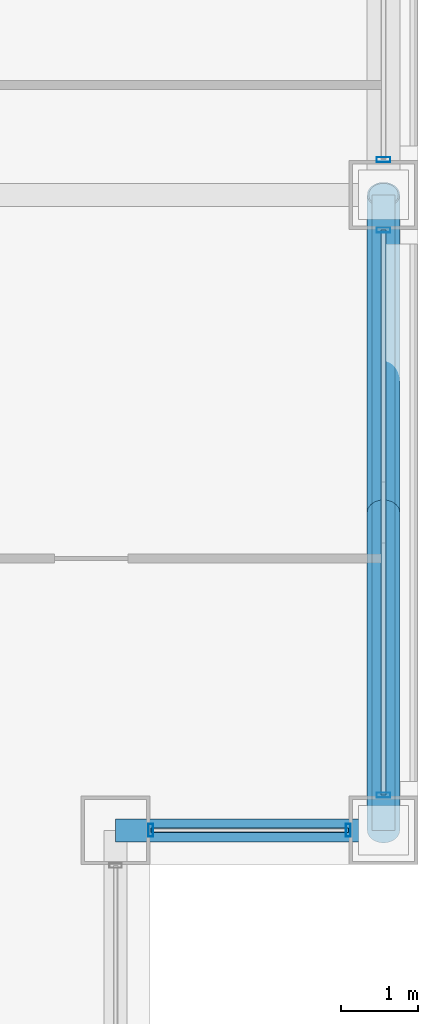
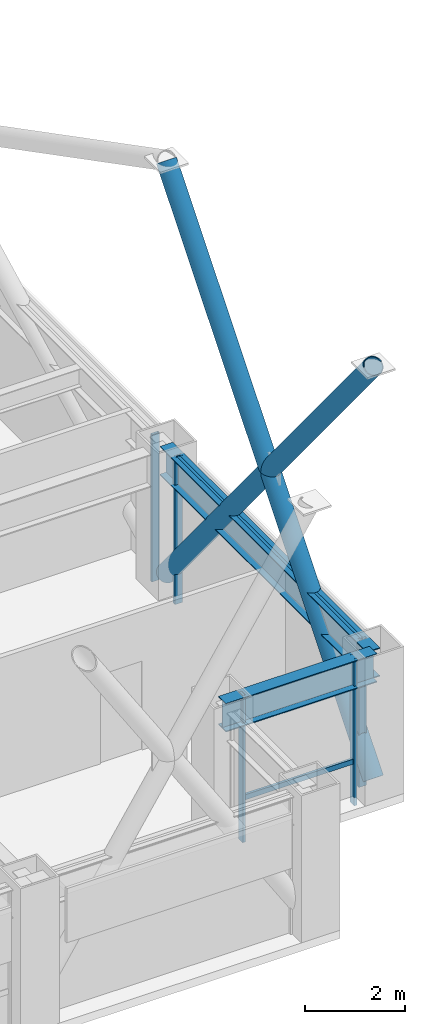
# One storey, part 11 of 30: 10 members, 2 beams, 3 elements without a shape of their own.
"""IFC4 building model written with IfcOpenShell, lengths in metres."""

from ifc_helpers import new_model, si_unit, direction, frame, origin, origin_2d, place, context, subcontext, project, spatial, hollow_rectangle, hollow_circle, i_section, extrude, material, layer, layer_set, material_profile, profile_set, type_object, element, aggregate, save


model = new_model("IFC4")

# Units and contexts
model_context = context("Model", 3, precision=1e-05, world=origin(), true_north=direction((0.0, 1.0)))
body_context = subcontext(model_context, "Body", "Model", "MODEL_VIEW")
ifc_project = project(units=[si_unit("LENGTHUNIT", "METRE"), si_unit("AREAUNIT", "SQUARE_METRE"), si_unit("VOLUMEUNIT", "CUBIC_METRE"), si_unit("PLANEANGLEUNIT", "RADIAN"), si_unit("MASSUNIT", "GRAM", prefix="KILO")], contexts=[model_context])

# Site, building, storey
site_placement = place(None, origin())
site = spatial("IfcSite", under=ifc_project, at=site_placement, CompositionType="ELEMENT")
building_placement = place(site_placement, origin())
building = spatial("IfcBuilding", under=site, at=building_placement, Name="Brelmoor Portico Tower", CompositionType="ELEMENT")
storey_placement = place(building_placement, frame((0.0, 0.0, 56.39990234375)))
storey = spatial("IfcBuildingStorey", under=building, at=storey_placement, Name="L14", CompositionType="ELEMENT", Elevation=56.39990234375)

# Beams
ifc_material_1 = material(Name="Steel Q355B", Category="steel")
ifc_material_profile_1 = material_profile(ifc_material_1, i_section(OverallWidth=0.300048828125, OverallDepth=0.699951171875, WebThickness=0.012939453125, FlangeThickness=0.02392578125, at=origin_2d()), Name="HN 700x300x13x24")
ifc_profile_set_1 = profile_set([ifc_material_profile_1], Name="Steel Q355B")
beam_type = type_object("IfcBeamType", Name="BM-SP-700", PredefinedType="SPANDREL", material=ifc_profile_set_1)
beam_1_placement = place(storey_placement, frame((21.050048828125, -18.050048828125, 3.050048828125), z_axis=(1.0, 0.0, 0.0), x_axis=(0.0, 1.0, 0.0)))
element("IfcBeam", 1, at=beam_1_placement, inside=storey, type_object=beam_type, Name="L14 Perimeter Spandrel Beam SP-07", PredefinedType="SPANDREL", context=body_context, shape_type="SweptSolid", body=[
    extrude(i_section(OverallWidth=0.300048828125, OverallDepth=0.699951171875, WebThickness=0.012939453125, FlangeThickness=0.02392578125, at=origin_2d()), origin(), (0.0, 0.0, 1.0), 3.5),
])
beam_2_placement = place(storey_placement, frame((24.550048828125, -18.050048828125, 3.050048828125), z_axis=(0.0, 1.0, 0.0), x_axis=(-1.0, 0.0, 0.0)))
element("IfcBeam", 2, at=beam_2_placement, inside=storey, type_object=beam_type, Name="L14 Perimeter Spandrel Beam SP-22", PredefinedType="SPANDREL", context=body_context, shape_type="SweptSolid", body=[
    extrude(i_section(OverallWidth=0.300048828125, OverallDepth=0.699951171875, WebThickness=0.012939453125, FlangeThickness=0.02392578125, at=origin_2d()), origin(), (0.0, 0.0, 1.0), 8.300048828125),
])

# Members
ifc_material_profile_2 = material_profile(ifc_material_1, hollow_circle(Radius=0.212890625, WallThickness=0.02001953125, at=origin_2d()), Name="CHS 426x20")
ifc_profile_set_2 = profile_set([ifc_material_profile_2], Name="Steel Q355B")
member_type_1 = type_object("IfcMemberType", Name="MB-BELT-DIAG1", PredefinedType="BRACE", material=ifc_profile_set_2)
member_1_placement = place(storey_placement, frame((24.550048828125, -18.050048828125, 0.25), z_axis=(0.0, 0.634901100083, 0.772593420315), x_axis=(-1.0, 0.0, 0.0)))
element("IfcMember", 3, at=member_1_placement, inside=storey, type_object=member_type_1, Name="L14 Continuous Mega-X Brace 031A", PredefinedType="BRACE", context=body_context, shape_type="SweptSolid", body=[
    extrude(hollow_circle(Radius=0.212890625, WallThickness=0.02001953125, at=origin_2d()), origin(), (0.0, 0.0, 1.0), 13.072998046875),
])
member_2_placement = place(storey_placement, frame((24.550048828125, -9.75, 0.25), z_axis=(0.0, -0.634889952641, 0.772602580914), x_axis=(1.0, 0.0, 0.0)))
element("IfcMember", 4, at=member_2_placement, inside=storey, type_object=member_type_1, Name="L14 Split Mega-X Brace 031B1", PredefinedType="BRACE", context=body_context, shape_type="SweptSolid", body=[
    extrude(hollow_circle(Radius=0.212890625, WallThickness=0.02001953125, at=origin_2d()), origin(), (0.0, 0.0, 1.0), 6.536376953125),
])
member_3_placement = place(storey_placement, frame((24.550048828125, -13.89990234375, 5.300048828125), z_axis=(0.0, -0.634912247128, 0.772584259771), x_axis=(1.0, 0.0, 0.0)))
element("IfcMember", 5, at=member_3_placement, inside=storey, type_object=member_type_1, Name="L14 Split Mega-X Brace 031B2", PredefinedType="BRACE", context=body_context, shape_type="SweptSolid", body=[
    extrude(hollow_circle(Radius=0.212890625, WallThickness=0.02001953125, at=origin_2d()), origin(), (0.0, 0.0, 1.0), 6.53662109375),
])

# Curtain wall, members
ifc_material_2 = material(Name="Anodised Aluminium Alloy 6063-T6", Category="aluminium")
ifc_layer_1 = layer(ifc_material_2, 0.179931640625)
ifc_layer_set_1 = layer_set([ifc_layer_1], Name="Anodised Aluminium Alloy 6063-T6")
curtain_wall_type_1 = type_object("IfcCurtainWallType", Name="CW-NOTCH-CHAMFER", PredefinedType="NOTDEFINED", material=ifc_layer_set_1)
curtain_wall_1_placement = place(storey_placement, origin())
curtain_wall_1 = element("IfcCurtainWall", 6, at=curtain_wall_1_placement, inside=storey, type_object=curtain_wall_type_1, Name="L14 Curtain Wall CWN-L14-SEH", PredefinedType="NOTDEFINED")
ifc_material_profile_3 = material_profile(ifc_material_2, hollow_rectangle(XDim=0.06494140625, YDim=0.1650390625, WallThickness=0.00390625, at=origin_2d()), Name="ALU MULLION 65x165")
ifc_profile_set_3 = profile_set([ifc_material_profile_3], Name="Anodised Aluminium Alloy 6063-T6")
member_type_2 = type_object("IfcMemberType", Name="MB-CW-MULL-165", PredefinedType="MULLION", material=ifc_profile_set_3)
member_4_placement = place(storey_placement, frame((21.510009765625, -18.050048828125, -0.199951171875), z_axis=(0.0, 0.0, 1.0), x_axis=(1.0, 0.0, 0.0)))
member_4 = element("IfcMember", 7, at=member_4_placement, type_object=member_type_2, Name="CWN-L14-SEH Mullion 00", PredefinedType="MULLION", context=body_context, shape_type="SweptSolid", body=[
    extrude(hollow_rectangle(XDim=0.06494140625, YDim=0.1650390625, WallThickness=0.00390625, at=origin_2d()), origin(), (0.0, 0.0, 1.0), 3.60009765625),
])
member_5_placement = place(storey_placement, frame((24.090087890625, -18.050048828125, -0.199951171875), z_axis=(0.0, 0.0, 1.0), x_axis=(1.0, 0.0, 0.0)))
member_5 = element("IfcMember", 8, at=member_5_placement, type_object=member_type_2, Name="CWN-L14-SEH Mullion 01", PredefinedType="MULLION", context=body_context, shape_type="SweptSolid", body=[
    extrude(hollow_rectangle(XDim=0.06494140625, YDim=0.1650390625, WallThickness=0.00390625, at=origin_2d()), origin(), (0.0, 0.0, 1.0), 3.60009765625),
])

ifc_layer_2 = layer(ifc_material_2, 0.179931640625)
ifc_layer_set_2 = layer_set([ifc_layer_2], Name="Anodised Aluminium Alloy 6063-T6")
curtain_wall_type_2 = type_object("IfcCurtainWallType", Name="CW-TOWER-Z1-XB", PredefinedType="NOTDEFINED", material=ifc_layer_set_2)
curtain_wall_2_placement = place(storey_placement, origin())
curtain_wall_2 = element("IfcCurtainWall", 9, at=curtain_wall_2_placement, inside=storey, type_object=curtain_wall_type_2, Name="L14 Curtain Wall CW-L14-04-1", PredefinedType="NOTDEFINED")
ifc_material_profile_4 = material_profile(ifc_material_2, hollow_rectangle(XDim=0.06494140625, YDim=0.179931640625, WallThickness=0.00390625, at=origin_2d()), Name="ALU MULLION 65x180")
ifc_profile_set_4 = profile_set([ifc_material_profile_4], Name="Anodised Aluminium Alloy 6063-T6")
member_type_3 = type_object("IfcMemberType", Name="MB-CW-MULL-180", PredefinedType="MULLION", material=ifc_profile_set_4)
member_6_placement = place(storey_placement, frame((24.550048828125, -17.590087890625, -0.199951171875), z_axis=(0.0, 0.0, 1.0), x_axis=(0.0, 1.0, 0.0)))
member_6 = element("IfcMember", 10, at=member_6_placement, type_object=member_type_3, Name="CW-L14-04-1 Mullion 00", PredefinedType="MULLION", context=body_context, shape_type="SweptSolid", body=[
    extrude(hollow_rectangle(XDim=0.06494140625, YDim=0.179931640625, WallThickness=0.00390625, at=origin_2d()), origin(), (0.0, 0.0, 1.0), 3.60009765625),
])
member_7_placement = place(storey_placement, frame((24.550048828125, -10.2099609375, -0.199951171875), z_axis=(0.0, 0.0, 1.0), x_axis=(0.0, 1.0, 0.0)))
member_7 = element("IfcMember", 11, at=member_7_placement, type_object=member_type_3, Name="CW-L14-04-1 Mullion 01", PredefinedType="MULLION", context=body_context, shape_type="SweptSolid", body=[
    extrude(hollow_rectangle(XDim=0.06494140625, YDim=0.179931640625, WallThickness=0.00390625, at=origin_2d()), origin(), (0.0, 0.0, 1.0), 3.60009765625),
])

# Curtain wall, member
curtain_wall_3_placement = place(storey_placement, origin())
curtain_wall_3 = element("IfcCurtainWall", 12, at=curtain_wall_3_placement, inside=storey, type_object=curtain_wall_type_2, Name="L14 Curtain Wall CW-L14-04-2", PredefinedType="NOTDEFINED")
member_8_placement = place(storey_placement, frame((24.550048828125, -9.2900390625, -0.199951171875), z_axis=(0.0, 0.0, 1.0), x_axis=(0.0, 1.0, 0.0)))
member_8 = element("IfcMember", 13, at=member_8_placement, type_object=member_type_3, Name="CW-L14-04-2 Mullion 00", PredefinedType="MULLION", context=body_context, shape_type="SweptSolid", body=[
    extrude(hollow_rectangle(XDim=0.06494140625, YDim=0.179931640625, WallThickness=0.00390625, at=origin_2d()), origin(), (0.0, 0.0, 1.0), 3.60009765625),
])
aggregate(curtain_wall_3, [member_8])

# Member
ifc_material_profile_5 = material_profile(ifc_material_2, hollow_rectangle(XDim=0.06005859375, YDim=0.125, WallThickness=0.00341796875, at=origin_2d()), Name="ALU TRANSOM 60x125")
ifc_profile_set_5 = profile_set([ifc_material_profile_5], Name="Anodised Aluminium Alloy 6063-T6")
member_type_4 = type_object("IfcMemberType", Name="MB-CW-TRAN-125", PredefinedType="USERDEFINED", material=ifc_profile_set_5)
member_9_placement = place(storey_placement, frame((21.510009765625, -18.050048828125, 0.85009765625), z_axis=(1.0, 0.0, 0.0), x_axis=(0.0, 1.0, 0.0)))
member_9 = element("IfcMember", 14, at=member_9_placement, type_object=member_type_4, Name="CWN-L14-SEH Transom 1-00", ObjectType="TRANSOM", PredefinedType="USERDEFINED", context=body_context, shape_type="SweptSolid", body=[
    extrude(hollow_rectangle(XDim=0.06005859375, YDim=0.125, WallThickness=0.00341796875, at=origin_2d()), origin(), (0.0, 0.0, 1.0), 2.580078125),
])

aggregate(curtain_wall_1, [member_4, member_5, member_9])

ifc_material_profile_6 = material_profile(ifc_material_2, hollow_rectangle(XDim=0.06494140625, YDim=0.139892578125, WallThickness=0.00390625, at=origin_2d()), Name="ALU TRANSOM 65x140")
ifc_profile_set_6 = profile_set([ifc_material_profile_6], Name="Anodised Aluminium Alloy 6063-T6")
member_type_5 = type_object("IfcMemberType", Name="MB-CW-TRAN-140", PredefinedType="USERDEFINED", material=ifc_profile_set_6)
member_10_placement = place(storey_placement, frame((24.550048828125, -17.590087890625, 3.330078125), z_axis=(0.0, 1.0, 0.0), x_axis=(-1.0, 0.0, 0.0)))
member_10 = element("IfcMember", 15, at=member_10_placement, type_object=member_type_5, Name="CW-L14-04-1 Transom 1-00", ObjectType="TRANSOM", PredefinedType="USERDEFINED", context=body_context, shape_type="SweptSolid", body=[
    extrude(hollow_rectangle(XDim=0.06494140625, YDim=0.139892578125, WallThickness=0.00390625, at=origin_2d()), origin(), (0.0, 0.0, 1.0), 7.380126953125),
])

aggregate(curtain_wall_2, [member_6, member_7, member_10])

save(model, "model.ifc")
